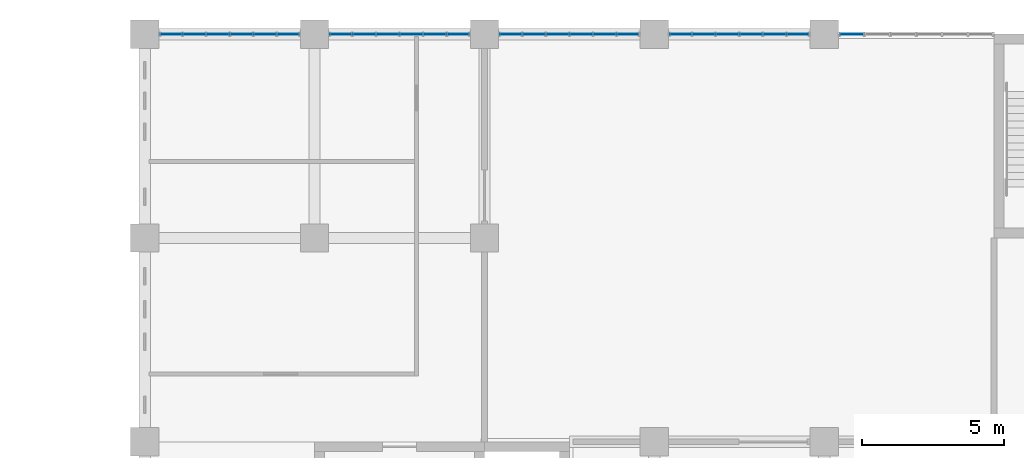
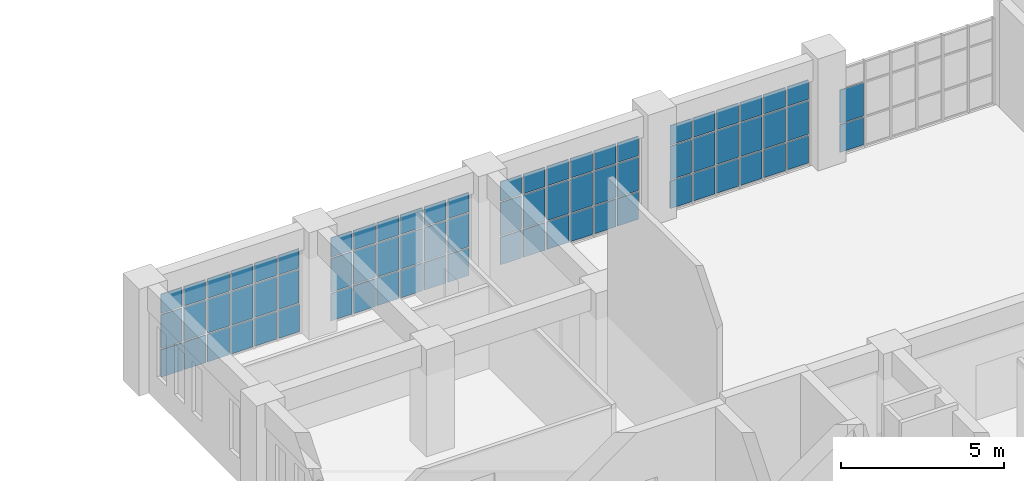
# One storey, part 57 of 92: 74 plates, 5 elements without a shape of their own.
"""IFC4 building model written with IfcOpenShell, lengths in metres."""

from ifc_helpers import new_model, si_unit, direction, frame, origin, origin_2d, place, context, subcontext, project, spatial, rectangle, extrude, material, layer, layer_set, type_object, element, aggregate, save


model = new_model("IFC4")

# Units and contexts
model_context = context("Model", 3, precision=1e-05, world=origin(), true_north=direction((0.0, 1.0)))
body_context = subcontext(model_context, "Body", "Model", "MODEL_VIEW")
ifc_project = project(units=[si_unit("LENGTHUNIT", "METRE"), si_unit("AREAUNIT", "SQUARE_METRE"), si_unit("VOLUMEUNIT", "CUBIC_METRE"), si_unit("PLANEANGLEUNIT", "RADIAN"), si_unit("MASSUNIT", "GRAM", prefix="KILO")], contexts=[model_context])

# Site, building, storey
site_placement = place(None, origin())
site = spatial("IfcSite", under=ifc_project, at=site_placement, CompositionType="ELEMENT")
building_placement = place(site_placement, origin())
building = spatial("IfcBuilding", under=site, at=building_placement, Name="Laocheng Heights Fire and Rescue Headquarters", CompositionType="ELEMENT")
storey_placement = place(building_placement, frame((0.0, 0.0, 12.60009765625)))
storey = spatial("IfcBuildingStorey", under=building, at=storey_placement, Name="L03", CompositionType="ELEMENT", Elevation=12.60009765625)

# Curtain wall, plates
ifc_material_1 = material(Name="Dark anodised aluminium unitised curtain wall, low-e double glazing", Category="aluminium")
curtain_wall_type_1 = type_object("IfcCurtainWallType", Name="CW 5000 x 3200 HQ CONTROL ROOM FACE", PredefinedType="NOTDEFINED", material=ifc_material_1)
curtain_wall_1_placement = place(storey_placement, origin())
curtain_wall_1 = element("IfcCurtainWall", 1, at=curtain_wall_1_placement, inside=storey, type_object=curtain_wall_type_1, Name="X21-X HQ NORTH L03", PredefinedType="NOTDEFINED")
ifc_material_2 = material(Name="Laminated safety glass, low-e double glazed unit", Category="glass")
ifc_layer_1 = layer(ifc_material_2, 0.0400390625)
ifc_layer_set_1 = layer_set([ifc_layer_1], Name="Laminated safety glass, low-e double glazed unit")
plate_type_1 = type_object("IfcPlateType", Name="CW LAMINATED SAFETY PANEL 40 X", PredefinedType="CURTAIN_PANEL", material=ifc_layer_set_1)
plate_1_placement = place(storey_placement, frame((36.931640625, 72.0, 0.050048828125), z_axis=(0.0, 0.0, 1.0), x_axis=(1.0, 0.0, 0.0)))
plate_1 = element("IfcPlate", 2, at=plate_1_placement, type_object=plate_type_1, Name="X21-X panel 1.1", PredefinedType="CURTAIN_PANEL", context=body_context, shape_type="SweptSolid", body=[
    extrude(rectangle(XDim=0.743408203125, YDim=0.0400390625, at=origin_2d()), origin(), (0.0, 0.0, 1.0), 1.02490234375),
])
plate_2_placement = place(storey_placement, frame((37.75, 72.0, 0.050048828125), z_axis=(0.0, 0.0, 1.0), x_axis=(1.0, 0.0, 0.0)))
plate_2 = element("IfcPlate", 3, at=plate_2_placement, type_object=plate_type_1, Name="X21-X panel 2.1", PredefinedType="CURTAIN_PANEL", context=body_context, shape_type="SweptSolid", body=[
    extrude(rectangle(XDim=0.7734375, YDim=0.0400390625, at=origin_2d()), origin(), (0.0, 0.0, 1.0), 1.02490234375),
])
plate_3_placement = place(storey_placement, frame((38.583251953125, 72.0, 0.050048828125), z_axis=(0.0, 0.0, 1.0), x_axis=(1.0, 0.0, 0.0)))
plate_3 = element("IfcPlate", 4, at=plate_3_placement, type_object=plate_type_1, Name="X21-X panel 3.1", PredefinedType="CURTAIN_PANEL", context=body_context, shape_type="SweptSolid", body=[
    extrude(rectangle(XDim=0.7734375, YDim=0.0400390625, at=origin_2d()), origin(), (0.0, 0.0, 1.0), 1.02490234375),
])
plate_4_placement = place(storey_placement, frame((39.416748046875, 72.0, 0.050048828125), z_axis=(0.0, 0.0, 1.0), x_axis=(1.0, 0.0, 0.0)))
plate_4 = element("IfcPlate", 5, at=plate_4_placement, type_object=plate_type_1, Name="X21-X panel 4.1", PredefinedType="CURTAIN_PANEL", context=body_context, shape_type="SweptSolid", body=[
    extrude(rectangle(XDim=0.7734375, YDim=0.0400390625, at=origin_2d()), origin(), (0.0, 0.0, 1.0), 1.02490234375),
])
plate_5_placement = place(storey_placement, frame((40.25, 72.0, 0.050048828125), z_axis=(0.0, 0.0, 1.0), x_axis=(1.0, 0.0, 0.0)))
plate_5 = element("IfcPlate", 6, at=plate_5_placement, type_object=plate_type_1, Name="X21-X panel 5.1", PredefinedType="CURTAIN_PANEL", context=body_context, shape_type="SweptSolid", body=[
    extrude(rectangle(XDim=0.7734375, YDim=0.0400390625, at=origin_2d()), origin(), (0.0, 0.0, 1.0), 1.02490234375),
])
plate_6_placement = place(storey_placement, frame((41.068359375, 72.0, 0.050048828125), z_axis=(0.0, 0.0, 1.0), x_axis=(1.0, 0.0, 0.0)))
plate_6 = element("IfcPlate", 7, at=plate_6_placement, type_object=plate_type_1, Name="X21-X panel 6.1", PredefinedType="CURTAIN_PANEL", context=body_context, shape_type="SweptSolid", body=[
    extrude(rectangle(XDim=0.743408203125, YDim=0.0400390625, at=origin_2d()), origin(), (0.0, 0.0, 1.0), 1.02490234375),
])

curtain_wall_2_placement = place(storey_placement, origin())
curtain_wall_2 = element("IfcCurtainWall", 8, at=curtain_wall_2_placement, inside=storey, type_object=curtain_wall_type_1, Name="X21-X HQ NORTH L03", PredefinedType="NOTDEFINED")
plate_7_placement = place(storey_placement, frame((42.931640625, 72.0, 0.050048828125), z_axis=(0.0, 0.0, 1.0), x_axis=(1.0, 0.0, 0.0)))
plate_7 = element("IfcPlate", 9, at=plate_7_placement, type_object=plate_type_1, Name="X21-X panel 1.1", PredefinedType="CURTAIN_PANEL", context=body_context, shape_type="SweptSolid", body=[
    extrude(rectangle(XDim=0.743408203125, YDim=0.0400390625, at=origin_2d()), origin(), (0.0, 0.0, 1.0), 1.02490234375),
])
plate_8_placement = place(storey_placement, frame((43.75, 72.0, 0.050048828125), z_axis=(0.0, 0.0, 1.0), x_axis=(1.0, 0.0, 0.0)))
plate_8 = element("IfcPlate", 10, at=plate_8_placement, type_object=plate_type_1, Name="X21-X panel 2.1", PredefinedType="CURTAIN_PANEL", context=body_context, shape_type="SweptSolid", body=[
    extrude(rectangle(XDim=0.7734375, YDim=0.0400390625, at=origin_2d()), origin(), (0.0, 0.0, 1.0), 1.02490234375),
])
plate_9_placement = place(storey_placement, frame((44.583251953125, 72.0, 0.050048828125), z_axis=(0.0, 0.0, 1.0), x_axis=(1.0, 0.0, 0.0)))
plate_9 = element("IfcPlate", 11, at=plate_9_placement, type_object=plate_type_1, Name="X21-X panel 3.1", PredefinedType="CURTAIN_PANEL", context=body_context, shape_type="SweptSolid", body=[
    extrude(rectangle(XDim=0.7734375, YDim=0.0400390625, at=origin_2d()), origin(), (0.0, 0.0, 1.0), 1.02490234375),
])
plate_10_placement = place(storey_placement, frame((45.416748046875, 72.0, 0.050048828125), z_axis=(0.0, 0.0, 1.0), x_axis=(1.0, 0.0, 0.0)))
plate_10 = element("IfcPlate", 12, at=plate_10_placement, type_object=plate_type_1, Name="X21-X panel 4.1", PredefinedType="CURTAIN_PANEL", context=body_context, shape_type="SweptSolid", body=[
    extrude(rectangle(XDim=0.7734375, YDim=0.0400390625, at=origin_2d()), origin(), (0.0, 0.0, 1.0), 1.02490234375),
])
plate_11_placement = place(storey_placement, frame((46.25, 72.0, 0.050048828125), z_axis=(0.0, 0.0, 1.0), x_axis=(1.0, 0.0, 0.0)))
plate_11 = element("IfcPlate", 13, at=plate_11_placement, type_object=plate_type_1, Name="X21-X panel 5.1", PredefinedType="CURTAIN_PANEL", context=body_context, shape_type="SweptSolid", body=[
    extrude(rectangle(XDim=0.7734375, YDim=0.0400390625, at=origin_2d()), origin(), (0.0, 0.0, 1.0), 1.02490234375),
])
plate_12_placement = place(storey_placement, frame((47.068359375, 72.0, 0.050048828125), z_axis=(0.0, 0.0, 1.0), x_axis=(1.0, 0.0, 0.0)))
plate_12 = element("IfcPlate", 14, at=plate_12_placement, type_object=plate_type_1, Name="X21-X panel 6.1", PredefinedType="CURTAIN_PANEL", context=body_context, shape_type="SweptSolid", body=[
    extrude(rectangle(XDim=0.743408203125, YDim=0.0400390625, at=origin_2d()), origin(), (0.0, 0.0, 1.0), 1.02490234375),
])

curtain_wall_3_placement = place(storey_placement, origin())
curtain_wall_3 = element("IfcCurtainWall", 15, at=curtain_wall_3_placement, inside=storey, type_object=curtain_wall_type_1, Name="X21-X HQ NORTH L03", PredefinedType="NOTDEFINED")
plate_13_placement = place(storey_placement, frame((48.931640625, 72.0, 0.050048828125), z_axis=(0.0, 0.0, 1.0), x_axis=(1.0, 0.0, 0.0)))
plate_13 = element("IfcPlate", 16, at=plate_13_placement, type_object=plate_type_1, Name="X21-X panel 1.1", PredefinedType="CURTAIN_PANEL", context=body_context, shape_type="SweptSolid", body=[
    extrude(rectangle(XDim=0.743408203125, YDim=0.0400390625, at=origin_2d()), origin(), (0.0, 0.0, 1.0), 1.02490234375),
])
plate_14_placement = place(storey_placement, frame((49.75, 72.0, 0.050048828125), z_axis=(0.0, 0.0, 1.0), x_axis=(1.0, 0.0, 0.0)))
plate_14 = element("IfcPlate", 17, at=plate_14_placement, type_object=plate_type_1, Name="X21-X panel 2.1", PredefinedType="CURTAIN_PANEL", context=body_context, shape_type="SweptSolid", body=[
    extrude(rectangle(XDim=0.7734375, YDim=0.0400390625, at=origin_2d()), origin(), (0.0, 0.0, 1.0), 1.02490234375),
])
plate_15_placement = place(storey_placement, frame((50.583251953125, 72.0, 0.050048828125), z_axis=(0.0, 0.0, 1.0), x_axis=(1.0, 0.0, 0.0)))
plate_15 = element("IfcPlate", 18, at=plate_15_placement, type_object=plate_type_1, Name="X21-X panel 3.1", PredefinedType="CURTAIN_PANEL", context=body_context, shape_type="SweptSolid", body=[
    extrude(rectangle(XDim=0.7734375, YDim=0.0400390625, at=origin_2d()), origin(), (0.0, 0.0, 1.0), 1.02490234375),
])
plate_16_placement = place(storey_placement, frame((51.416748046875, 72.0, 0.050048828125), z_axis=(0.0, 0.0, 1.0), x_axis=(1.0, 0.0, 0.0)))
plate_16 = element("IfcPlate", 19, at=plate_16_placement, type_object=plate_type_1, Name="X21-X panel 4.1", PredefinedType="CURTAIN_PANEL", context=body_context, shape_type="SweptSolid", body=[
    extrude(rectangle(XDim=0.7734375, YDim=0.0400390625, at=origin_2d()), origin(), (0.0, 0.0, 1.0), 1.02490234375),
])
plate_17_placement = place(storey_placement, frame((52.25, 72.0, 0.050048828125), z_axis=(0.0, 0.0, 1.0), x_axis=(1.0, 0.0, 0.0)))
plate_17 = element("IfcPlate", 20, at=plate_17_placement, type_object=plate_type_1, Name="X21-X panel 5.1", PredefinedType="CURTAIN_PANEL", context=body_context, shape_type="SweptSolid", body=[
    extrude(rectangle(XDim=0.7734375, YDim=0.0400390625, at=origin_2d()), origin(), (0.0, 0.0, 1.0), 1.02490234375),
])
plate_18_placement = place(storey_placement, frame((53.068359375, 72.0, 0.050048828125), z_axis=(0.0, 0.0, 1.0), x_axis=(1.0, 0.0, 0.0)))
plate_18 = element("IfcPlate", 21, at=plate_18_placement, type_object=plate_type_1, Name="X21-X panel 6.1", PredefinedType="CURTAIN_PANEL", context=body_context, shape_type="SweptSolid", body=[
    extrude(rectangle(XDim=0.743408203125, YDim=0.0400390625, at=origin_2d()), origin(), (0.0, 0.0, 1.0), 1.02490234375),
])

curtain_wall_4_placement = place(storey_placement, origin())
curtain_wall_4 = element("IfcCurtainWall", 22, at=curtain_wall_4_placement, inside=storey, type_object=curtain_wall_type_1, Name="X21-X HQ NORTH L03", PredefinedType="NOTDEFINED")
plate_19_placement = place(storey_placement, frame((54.931640625, 72.0, 0.050048828125), z_axis=(0.0, 0.0, 1.0), x_axis=(1.0, 0.0, 0.0)))
plate_19 = element("IfcPlate", 23, at=plate_19_placement, type_object=plate_type_1, Name="X21-X panel 1.1", PredefinedType="CURTAIN_PANEL", context=body_context, shape_type="SweptSolid", body=[
    extrude(rectangle(XDim=0.743408203125, YDim=0.0400390625, at=origin_2d()), origin(), (0.0, 0.0, 1.0), 1.02490234375),
])
plate_20_placement = place(storey_placement, frame((55.75, 72.0, 0.050048828125), z_axis=(0.0, 0.0, 1.0), x_axis=(1.0, 0.0, 0.0)))
plate_20 = element("IfcPlate", 24, at=plate_20_placement, type_object=plate_type_1, Name="X21-X panel 2.1", PredefinedType="CURTAIN_PANEL", context=body_context, shape_type="SweptSolid", body=[
    extrude(rectangle(XDim=0.7734375, YDim=0.0400390625, at=origin_2d()), origin(), (0.0, 0.0, 1.0), 1.02490234375),
])
plate_21_placement = place(storey_placement, frame((56.583251953125, 72.0, 0.050048828125), z_axis=(0.0, 0.0, 1.0), x_axis=(1.0, 0.0, 0.0)))
plate_21 = element("IfcPlate", 25, at=plate_21_placement, type_object=plate_type_1, Name="X21-X panel 3.1", PredefinedType="CURTAIN_PANEL", context=body_context, shape_type="SweptSolid", body=[
    extrude(rectangle(XDim=0.7734375, YDim=0.0400390625, at=origin_2d()), origin(), (0.0, 0.0, 1.0), 1.02490234375),
])
plate_22_placement = place(storey_placement, frame((57.416748046875, 72.0, 0.050048828125), z_axis=(0.0, 0.0, 1.0), x_axis=(1.0, 0.0, 0.0)))
plate_22 = element("IfcPlate", 26, at=plate_22_placement, type_object=plate_type_1, Name="X21-X panel 4.1", PredefinedType="CURTAIN_PANEL", context=body_context, shape_type="SweptSolid", body=[
    extrude(rectangle(XDim=0.7734375, YDim=0.0400390625, at=origin_2d()), origin(), (0.0, 0.0, 1.0), 1.02490234375),
])
plate_23_placement = place(storey_placement, frame((58.25, 72.0, 0.050048828125), z_axis=(0.0, 0.0, 1.0), x_axis=(1.0, 0.0, 0.0)))
plate_23 = element("IfcPlate", 27, at=plate_23_placement, type_object=plate_type_1, Name="X21-X panel 5.1", PredefinedType="CURTAIN_PANEL", context=body_context, shape_type="SweptSolid", body=[
    extrude(rectangle(XDim=0.7734375, YDim=0.0400390625, at=origin_2d()), origin(), (0.0, 0.0, 1.0), 1.02490234375),
])
plate_24_placement = place(storey_placement, frame((59.068359375, 72.0, 0.050048828125), z_axis=(0.0, 0.0, 1.0), x_axis=(1.0, 0.0, 0.0)))
plate_24 = element("IfcPlate", 28, at=plate_24_placement, type_object=plate_type_1, Name="X21-X panel 6.1", PredefinedType="CURTAIN_PANEL", context=body_context, shape_type="SweptSolid", body=[
    extrude(rectangle(XDim=0.743408203125, YDim=0.0400390625, at=origin_2d()), origin(), (0.0, 0.0, 1.0), 1.02490234375),
])

# Curtain wall, plate
ifc_material_3 = material(Name="Dark anodised aluminium unitised curtain wall, low-e double glazing", Category="aluminium")
curtain_wall_type_2 = type_object("IfcCurtainWallType", Name="CW 5500 x 3200 HQ CONTROL ROOM FACE", PredefinedType="NOTDEFINED", material=ifc_material_3)
curtain_wall_5_placement = place(storey_placement, origin())
curtain_wall_5 = element("IfcCurtainWall", 29, at=curtain_wall_5_placement, inside=storey, type_object=curtain_wall_type_2, Name="X22-X HQ NORTH L03", PredefinedType="NOTDEFINED")
plate_25_placement = place(storey_placement, frame((60.973388671875, 72.0, 0.050048828125), z_axis=(0.0, 0.0, 1.0), x_axis=(1.0, 0.0, 0.0)))
plate_25 = element("IfcPlate", 30, at=plate_25_placement, type_object=plate_type_1, Name="X22-X panel 1.1", PredefinedType="CURTAIN_PANEL", context=body_context, shape_type="SweptSolid", body=[
    extrude(rectangle(XDim=0.82666015625, YDim=0.0400390625, at=origin_2d()), origin(), (0.0, 0.0, 1.0), 1.02490234375),
])

# Plate
ifc_material_4 = material(Name="Low-e double glazed unit, laminated inner pane")
ifc_layer_2 = layer(ifc_material_4, 0.028076171875)
ifc_layer_set_2 = layer_set([ifc_layer_2], Name="Low-e double glazed unit, laminated inner pane")
plate_type_2 = type_object("IfcPlateType", Name="CW VISION PANEL 28 X", PredefinedType="CURTAIN_PANEL", material=ifc_layer_set_2)
plate_26_placement = place(storey_placement, frame((36.931640625, 72.0, 1.125), z_axis=(0.0, 0.0, 1.0), x_axis=(1.0, 0.0, 0.0)))
plate_26 = element("IfcPlate", 31, at=plate_26_placement, type_object=plate_type_2, Name="X21-X panel 1.2", PredefinedType="CURTAIN_PANEL", context=body_context, shape_type="SweptSolid", body=[
    extrude(rectangle(XDim=0.743408203125, YDim=0.028076171875, at=origin_2d()), origin(), (0.0, 0.0, 1.0), 1.25),
])

plate_27_placement = place(storey_placement, frame((36.931640625, 72.0, 2.4248046875), z_axis=(0.0, 0.0, 1.0), x_axis=(1.0, 0.0, 0.0)))
plate_27 = element("IfcPlate", 32, at=plate_27_placement, type_object=plate_type_2, Name="X21-X panel 1.3", PredefinedType="CURTAIN_PANEL", context=body_context, shape_type="SweptSolid", body=[
    extrude(rectangle(XDim=0.743408203125, YDim=0.028076171875, at=origin_2d()), origin(), (0.0, 0.0, 1.0), 0.72509765625),
])

plate_28_placement = place(storey_placement, frame((37.75, 72.0, 1.125), z_axis=(0.0, 0.0, 1.0), x_axis=(1.0, 0.0, 0.0)))
plate_28 = element("IfcPlate", 33, at=plate_28_placement, type_object=plate_type_2, Name="X21-X panel 2.2", PredefinedType="CURTAIN_PANEL", context=body_context, shape_type="SweptSolid", body=[
    extrude(rectangle(XDim=0.7734375, YDim=0.028076171875, at=origin_2d()), origin(), (0.0, 0.0, 1.0), 1.25),
])

plate_29_placement = place(storey_placement, frame((37.75, 72.0, 2.4248046875), z_axis=(0.0, 0.0, 1.0), x_axis=(1.0, 0.0, 0.0)))
plate_29 = element("IfcPlate", 34, at=plate_29_placement, type_object=plate_type_2, Name="X21-X panel 2.3", PredefinedType="CURTAIN_PANEL", context=body_context, shape_type="SweptSolid", body=[
    extrude(rectangle(XDim=0.7734375, YDim=0.028076171875, at=origin_2d()), origin(), (0.0, 0.0, 1.0), 0.72509765625),
])

plate_30_placement = place(storey_placement, frame((38.583251953125, 72.0, 1.125), z_axis=(0.0, 0.0, 1.0), x_axis=(1.0, 0.0, 0.0)))
plate_30 = element("IfcPlate", 35, at=plate_30_placement, type_object=plate_type_2, Name="X21-X panel 3.2", PredefinedType="CURTAIN_PANEL", context=body_context, shape_type="SweptSolid", body=[
    extrude(rectangle(XDim=0.7734375, YDim=0.028076171875, at=origin_2d()), origin(), (0.0, 0.0, 1.0), 1.25),
])

plate_31_placement = place(storey_placement, frame((38.583251953125, 72.0, 2.4248046875), z_axis=(0.0, 0.0, 1.0), x_axis=(1.0, 0.0, 0.0)))
plate_31 = element("IfcPlate", 36, at=plate_31_placement, type_object=plate_type_2, Name="X21-X panel 3.3", PredefinedType="CURTAIN_PANEL", context=body_context, shape_type="SweptSolid", body=[
    extrude(rectangle(XDim=0.7734375, YDim=0.028076171875, at=origin_2d()), origin(), (0.0, 0.0, 1.0), 0.72509765625),
])

plate_32_placement = place(storey_placement, frame((39.416748046875, 72.0, 1.125), z_axis=(0.0, 0.0, 1.0), x_axis=(1.0, 0.0, 0.0)))
plate_32 = element("IfcPlate", 37, at=plate_32_placement, type_object=plate_type_2, Name="X21-X panel 4.2", PredefinedType="CURTAIN_PANEL", context=body_context, shape_type="SweptSolid", body=[
    extrude(rectangle(XDim=0.7734375, YDim=0.028076171875, at=origin_2d()), origin(), (0.0, 0.0, 1.0), 1.25),
])

plate_33_placement = place(storey_placement, frame((39.416748046875, 72.0, 2.4248046875), z_axis=(0.0, 0.0, 1.0), x_axis=(1.0, 0.0, 0.0)))
plate_33 = element("IfcPlate", 38, at=plate_33_placement, type_object=plate_type_2, Name="X21-X panel 4.3", PredefinedType="CURTAIN_PANEL", context=body_context, shape_type="SweptSolid", body=[
    extrude(rectangle(XDim=0.7734375, YDim=0.028076171875, at=origin_2d()), origin(), (0.0, 0.0, 1.0), 0.72509765625),
])

plate_34_placement = place(storey_placement, frame((40.25, 72.0, 1.125), z_axis=(0.0, 0.0, 1.0), x_axis=(1.0, 0.0, 0.0)))
plate_34 = element("IfcPlate", 39, at=plate_34_placement, type_object=plate_type_2, Name="X21-X panel 5.2", PredefinedType="CURTAIN_PANEL", context=body_context, shape_type="SweptSolid", body=[
    extrude(rectangle(XDim=0.7734375, YDim=0.028076171875, at=origin_2d()), origin(), (0.0, 0.0, 1.0), 1.25),
])

plate_35_placement = place(storey_placement, frame((40.25, 72.0, 2.4248046875), z_axis=(0.0, 0.0, 1.0), x_axis=(1.0, 0.0, 0.0)))
plate_35 = element("IfcPlate", 40, at=plate_35_placement, type_object=plate_type_2, Name="X21-X panel 5.3", PredefinedType="CURTAIN_PANEL", context=body_context, shape_type="SweptSolid", body=[
    extrude(rectangle(XDim=0.7734375, YDim=0.028076171875, at=origin_2d()), origin(), (0.0, 0.0, 1.0), 0.72509765625),
])

plate_36_placement = place(storey_placement, frame((41.068359375, 72.0, 1.125), z_axis=(0.0, 0.0, 1.0), x_axis=(1.0, 0.0, 0.0)))
plate_36 = element("IfcPlate", 41, at=plate_36_placement, type_object=plate_type_2, Name="X21-X panel 6.2", PredefinedType="CURTAIN_PANEL", context=body_context, shape_type="SweptSolid", body=[
    extrude(rectangle(XDim=0.743408203125, YDim=0.028076171875, at=origin_2d()), origin(), (0.0, 0.0, 1.0), 1.25),
])

plate_37_placement = place(storey_placement, frame((41.068359375, 72.0, 2.4248046875), z_axis=(0.0, 0.0, 1.0), x_axis=(1.0, 0.0, 0.0)))
plate_37 = element("IfcPlate", 42, at=plate_37_placement, type_object=plate_type_2, Name="X21-X panel 6.3", PredefinedType="CURTAIN_PANEL", context=body_context, shape_type="SweptSolid", body=[
    extrude(rectangle(XDim=0.743408203125, YDim=0.028076171875, at=origin_2d()), origin(), (0.0, 0.0, 1.0), 0.72509765625),
])

aggregate(curtain_wall_1, [plate_1, plate_26, plate_27, plate_2, plate_28, plate_29, plate_3, plate_30, plate_31, plate_4, plate_32, plate_33, plate_5, plate_34, plate_35, plate_6, plate_36, plate_37])

plate_38_placement = place(storey_placement, frame((42.931640625, 72.0, 1.125), z_axis=(0.0, 0.0, 1.0), x_axis=(1.0, 0.0, 0.0)))
plate_38 = element("IfcPlate", 43, at=plate_38_placement, type_object=plate_type_2, Name="X21-X panel 1.2", PredefinedType="CURTAIN_PANEL", context=body_context, shape_type="SweptSolid", body=[
    extrude(rectangle(XDim=0.743408203125, YDim=0.028076171875, at=origin_2d()), origin(), (0.0, 0.0, 1.0), 1.25),
])

plate_39_placement = place(storey_placement, frame((42.931640625, 72.0, 2.4248046875), z_axis=(0.0, 0.0, 1.0), x_axis=(1.0, 0.0, 0.0)))
plate_39 = element("IfcPlate", 44, at=plate_39_placement, type_object=plate_type_2, Name="X21-X panel 1.3", PredefinedType="CURTAIN_PANEL", context=body_context, shape_type="SweptSolid", body=[
    extrude(rectangle(XDim=0.743408203125, YDim=0.028076171875, at=origin_2d()), origin(), (0.0, 0.0, 1.0), 0.72509765625),
])

plate_40_placement = place(storey_placement, frame((43.75, 72.0, 1.125), z_axis=(0.0, 0.0, 1.0), x_axis=(1.0, 0.0, 0.0)))
plate_40 = element("IfcPlate", 45, at=plate_40_placement, type_object=plate_type_2, Name="X21-X panel 2.2", PredefinedType="CURTAIN_PANEL", context=body_context, shape_type="SweptSolid", body=[
    extrude(rectangle(XDim=0.7734375, YDim=0.028076171875, at=origin_2d()), origin(), (0.0, 0.0, 1.0), 1.25),
])

plate_41_placement = place(storey_placement, frame((43.75, 72.0, 2.4248046875), z_axis=(0.0, 0.0, 1.0), x_axis=(1.0, 0.0, 0.0)))
plate_41 = element("IfcPlate", 46, at=plate_41_placement, type_object=plate_type_2, Name="X21-X panel 2.3", PredefinedType="CURTAIN_PANEL", context=body_context, shape_type="SweptSolid", body=[
    extrude(rectangle(XDim=0.7734375, YDim=0.028076171875, at=origin_2d()), origin(), (0.0, 0.0, 1.0), 0.72509765625),
])

plate_42_placement = place(storey_placement, frame((44.583251953125, 72.0, 1.125), z_axis=(0.0, 0.0, 1.0), x_axis=(1.0, 0.0, 0.0)))
plate_42 = element("IfcPlate", 47, at=plate_42_placement, type_object=plate_type_2, Name="X21-X panel 3.2", PredefinedType="CURTAIN_PANEL", context=body_context, shape_type="SweptSolid", body=[
    extrude(rectangle(XDim=0.7734375, YDim=0.028076171875, at=origin_2d()), origin(), (0.0, 0.0, 1.0), 1.25),
])

plate_43_placement = place(storey_placement, frame((44.583251953125, 72.0, 2.4248046875), z_axis=(0.0, 0.0, 1.0), x_axis=(1.0, 0.0, 0.0)))
plate_43 = element("IfcPlate", 48, at=plate_43_placement, type_object=plate_type_2, Name="X21-X panel 3.3", PredefinedType="CURTAIN_PANEL", context=body_context, shape_type="SweptSolid", body=[
    extrude(rectangle(XDim=0.7734375, YDim=0.028076171875, at=origin_2d()), origin(), (0.0, 0.0, 1.0), 0.72509765625),
])

plate_44_placement = place(storey_placement, frame((45.416748046875, 72.0, 1.125), z_axis=(0.0, 0.0, 1.0), x_axis=(1.0, 0.0, 0.0)))
plate_44 = element("IfcPlate", 49, at=plate_44_placement, type_object=plate_type_2, Name="X21-X panel 4.2", PredefinedType="CURTAIN_PANEL", context=body_context, shape_type="SweptSolid", body=[
    extrude(rectangle(XDim=0.7734375, YDim=0.028076171875, at=origin_2d()), origin(), (0.0, 0.0, 1.0), 1.25),
])

plate_45_placement = place(storey_placement, frame((45.416748046875, 72.0, 2.4248046875), z_axis=(0.0, 0.0, 1.0), x_axis=(1.0, 0.0, 0.0)))
plate_45 = element("IfcPlate", 50, at=plate_45_placement, type_object=plate_type_2, Name="X21-X panel 4.3", PredefinedType="CURTAIN_PANEL", context=body_context, shape_type="SweptSolid", body=[
    extrude(rectangle(XDim=0.7734375, YDim=0.028076171875, at=origin_2d()), origin(), (0.0, 0.0, 1.0), 0.72509765625),
])

plate_46_placement = place(storey_placement, frame((46.25, 72.0, 1.125), z_axis=(0.0, 0.0, 1.0), x_axis=(1.0, 0.0, 0.0)))
plate_46 = element("IfcPlate", 51, at=plate_46_placement, type_object=plate_type_2, Name="X21-X panel 5.2", PredefinedType="CURTAIN_PANEL", context=body_context, shape_type="SweptSolid", body=[
    extrude(rectangle(XDim=0.7734375, YDim=0.028076171875, at=origin_2d()), origin(), (0.0, 0.0, 1.0), 1.25),
])

plate_47_placement = place(storey_placement, frame((46.25, 72.0, 2.4248046875), z_axis=(0.0, 0.0, 1.0), x_axis=(1.0, 0.0, 0.0)))
plate_47 = element("IfcPlate", 52, at=plate_47_placement, type_object=plate_type_2, Name="X21-X panel 5.3", PredefinedType="CURTAIN_PANEL", context=body_context, shape_type="SweptSolid", body=[
    extrude(rectangle(XDim=0.7734375, YDim=0.028076171875, at=origin_2d()), origin(), (0.0, 0.0, 1.0), 0.72509765625),
])

plate_48_placement = place(storey_placement, frame((47.068359375, 72.0, 1.125), z_axis=(0.0, 0.0, 1.0), x_axis=(1.0, 0.0, 0.0)))
plate_48 = element("IfcPlate", 53, at=plate_48_placement, type_object=plate_type_2, Name="X21-X panel 6.2", PredefinedType="CURTAIN_PANEL", context=body_context, shape_type="SweptSolid", body=[
    extrude(rectangle(XDim=0.743408203125, YDim=0.028076171875, at=origin_2d()), origin(), (0.0, 0.0, 1.0), 1.25),
])

plate_49_placement = place(storey_placement, frame((47.068359375, 72.0, 2.4248046875), z_axis=(0.0, 0.0, 1.0), x_axis=(1.0, 0.0, 0.0)))
plate_49 = element("IfcPlate", 54, at=plate_49_placement, type_object=plate_type_2, Name="X21-X panel 6.3", PredefinedType="CURTAIN_PANEL", context=body_context, shape_type="SweptSolid", body=[
    extrude(rectangle(XDim=0.743408203125, YDim=0.028076171875, at=origin_2d()), origin(), (0.0, 0.0, 1.0), 0.72509765625),
])

aggregate(curtain_wall_2, [plate_7, plate_38, plate_39, plate_8, plate_40, plate_41, plate_9, plate_42, plate_43, plate_10, plate_44, plate_45, plate_11, plate_46, plate_47, plate_12, plate_48, plate_49])

plate_50_placement = place(storey_placement, frame((48.931640625, 72.0, 1.125), z_axis=(0.0, 0.0, 1.0), x_axis=(1.0, 0.0, 0.0)))
plate_50 = element("IfcPlate", 55, at=plate_50_placement, type_object=plate_type_2, Name="X21-X panel 1.2", PredefinedType="CURTAIN_PANEL", context=body_context, shape_type="SweptSolid", body=[
    extrude(rectangle(XDim=0.743408203125, YDim=0.028076171875, at=origin_2d()), origin(), (0.0, 0.0, 1.0), 1.25),
])

plate_51_placement = place(storey_placement, frame((48.931640625, 72.0, 2.4248046875), z_axis=(0.0, 0.0, 1.0), x_axis=(1.0, 0.0, 0.0)))
plate_51 = element("IfcPlate", 56, at=plate_51_placement, type_object=plate_type_2, Name="X21-X panel 1.3", PredefinedType="CURTAIN_PANEL", context=body_context, shape_type="SweptSolid", body=[
    extrude(rectangle(XDim=0.743408203125, YDim=0.028076171875, at=origin_2d()), origin(), (0.0, 0.0, 1.0), 0.72509765625),
])

plate_52_placement = place(storey_placement, frame((49.75, 72.0, 1.125), z_axis=(0.0, 0.0, 1.0), x_axis=(1.0, 0.0, 0.0)))
plate_52 = element("IfcPlate", 57, at=plate_52_placement, type_object=plate_type_2, Name="X21-X panel 2.2", PredefinedType="CURTAIN_PANEL", context=body_context, shape_type="SweptSolid", body=[
    extrude(rectangle(XDim=0.7734375, YDim=0.028076171875, at=origin_2d()), origin(), (0.0, 0.0, 1.0), 1.25),
])

plate_53_placement = place(storey_placement, frame((49.75, 72.0, 2.4248046875), z_axis=(0.0, 0.0, 1.0), x_axis=(1.0, 0.0, 0.0)))
plate_53 = element("IfcPlate", 58, at=plate_53_placement, type_object=plate_type_2, Name="X21-X panel 2.3", PredefinedType="CURTAIN_PANEL", context=body_context, shape_type="SweptSolid", body=[
    extrude(rectangle(XDim=0.7734375, YDim=0.028076171875, at=origin_2d()), origin(), (0.0, 0.0, 1.0), 0.72509765625),
])

plate_54_placement = place(storey_placement, frame((50.583251953125, 72.0, 1.125), z_axis=(0.0, 0.0, 1.0), x_axis=(1.0, 0.0, 0.0)))
plate_54 = element("IfcPlate", 59, at=plate_54_placement, type_object=plate_type_2, Name="X21-X panel 3.2", PredefinedType="CURTAIN_PANEL", context=body_context, shape_type="SweptSolid", body=[
    extrude(rectangle(XDim=0.7734375, YDim=0.028076171875, at=origin_2d()), origin(), (0.0, 0.0, 1.0), 1.25),
])

plate_55_placement = place(storey_placement, frame((50.583251953125, 72.0, 2.4248046875), z_axis=(0.0, 0.0, 1.0), x_axis=(1.0, 0.0, 0.0)))
plate_55 = element("IfcPlate", 60, at=plate_55_placement, type_object=plate_type_2, Name="X21-X panel 3.3", PredefinedType="CURTAIN_PANEL", context=body_context, shape_type="SweptSolid", body=[
    extrude(rectangle(XDim=0.7734375, YDim=0.028076171875, at=origin_2d()), origin(), (0.0, 0.0, 1.0), 0.72509765625),
])

plate_56_placement = place(storey_placement, frame((51.416748046875, 72.0, 1.125), z_axis=(0.0, 0.0, 1.0), x_axis=(1.0, 0.0, 0.0)))
plate_56 = element("IfcPlate", 61, at=plate_56_placement, type_object=plate_type_2, Name="X21-X panel 4.2", PredefinedType="CURTAIN_PANEL", context=body_context, shape_type="SweptSolid", body=[
    extrude(rectangle(XDim=0.7734375, YDim=0.028076171875, at=origin_2d()), origin(), (0.0, 0.0, 1.0), 1.25),
])

plate_57_placement = place(storey_placement, frame((51.416748046875, 72.0, 2.4248046875), z_axis=(0.0, 0.0, 1.0), x_axis=(1.0, 0.0, 0.0)))
plate_57 = element("IfcPlate", 62, at=plate_57_placement, type_object=plate_type_2, Name="X21-X panel 4.3", PredefinedType="CURTAIN_PANEL", context=body_context, shape_type="SweptSolid", body=[
    extrude(rectangle(XDim=0.7734375, YDim=0.028076171875, at=origin_2d()), origin(), (0.0, 0.0, 1.0), 0.72509765625),
])

plate_58_placement = place(storey_placement, frame((52.25, 72.0, 1.125), z_axis=(0.0, 0.0, 1.0), x_axis=(1.0, 0.0, 0.0)))
plate_58 = element("IfcPlate", 63, at=plate_58_placement, type_object=plate_type_2, Name="X21-X panel 5.2", PredefinedType="CURTAIN_PANEL", context=body_context, shape_type="SweptSolid", body=[
    extrude(rectangle(XDim=0.7734375, YDim=0.028076171875, at=origin_2d()), origin(), (0.0, 0.0, 1.0), 1.25),
])

plate_59_placement = place(storey_placement, frame((52.25, 72.0, 2.4248046875), z_axis=(0.0, 0.0, 1.0), x_axis=(1.0, 0.0, 0.0)))
plate_59 = element("IfcPlate", 64, at=plate_59_placement, type_object=plate_type_2, Name="X21-X panel 5.3", PredefinedType="CURTAIN_PANEL", context=body_context, shape_type="SweptSolid", body=[
    extrude(rectangle(XDim=0.7734375, YDim=0.028076171875, at=origin_2d()), origin(), (0.0, 0.0, 1.0), 0.72509765625),
])

plate_60_placement = place(storey_placement, frame((53.068359375, 72.0, 1.125), z_axis=(0.0, 0.0, 1.0), x_axis=(1.0, 0.0, 0.0)))
plate_60 = element("IfcPlate", 65, at=plate_60_placement, type_object=plate_type_2, Name="X21-X panel 6.2", PredefinedType="CURTAIN_PANEL", context=body_context, shape_type="SweptSolid", body=[
    extrude(rectangle(XDim=0.743408203125, YDim=0.028076171875, at=origin_2d()), origin(), (0.0, 0.0, 1.0), 1.25),
])

plate_61_placement = place(storey_placement, frame((53.068359375, 72.0, 2.4248046875), z_axis=(0.0, 0.0, 1.0), x_axis=(1.0, 0.0, 0.0)))
plate_61 = element("IfcPlate", 66, at=plate_61_placement, type_object=plate_type_2, Name="X21-X panel 6.3", PredefinedType="CURTAIN_PANEL", context=body_context, shape_type="SweptSolid", body=[
    extrude(rectangle(XDim=0.743408203125, YDim=0.028076171875, at=origin_2d()), origin(), (0.0, 0.0, 1.0), 0.72509765625),
])

aggregate(curtain_wall_3, [plate_13, plate_50, plate_51, plate_14, plate_52, plate_53, plate_15, plate_54, plate_55, plate_16, plate_56, plate_57, plate_17, plate_58, plate_59, plate_18, plate_60, plate_61])

plate_62_placement = place(storey_placement, frame((54.931640625, 72.0, 1.125), z_axis=(0.0, 0.0, 1.0), x_axis=(1.0, 0.0, 0.0)))
plate_62 = element("IfcPlate", 67, at=plate_62_placement, type_object=plate_type_2, Name="X21-X panel 1.2", PredefinedType="CURTAIN_PANEL", context=body_context, shape_type="SweptSolid", body=[
    extrude(rectangle(XDim=0.743408203125, YDim=0.028076171875, at=origin_2d()), origin(), (0.0, 0.0, 1.0), 1.25),
])

plate_63_placement = place(storey_placement, frame((54.931640625, 72.0, 2.4248046875), z_axis=(0.0, 0.0, 1.0), x_axis=(1.0, 0.0, 0.0)))
plate_63 = element("IfcPlate", 68, at=plate_63_placement, type_object=plate_type_2, Name="X21-X panel 1.3", PredefinedType="CURTAIN_PANEL", context=body_context, shape_type="SweptSolid", body=[
    extrude(rectangle(XDim=0.743408203125, YDim=0.028076171875, at=origin_2d()), origin(), (0.0, 0.0, 1.0), 0.72509765625),
])

plate_64_placement = place(storey_placement, frame((55.75, 72.0, 1.125), z_axis=(0.0, 0.0, 1.0), x_axis=(1.0, 0.0, 0.0)))
plate_64 = element("IfcPlate", 69, at=plate_64_placement, type_object=plate_type_2, Name="X21-X panel 2.2", PredefinedType="CURTAIN_PANEL", context=body_context, shape_type="SweptSolid", body=[
    extrude(rectangle(XDim=0.7734375, YDim=0.028076171875, at=origin_2d()), origin(), (0.0, 0.0, 1.0), 1.25),
])

plate_65_placement = place(storey_placement, frame((55.75, 72.0, 2.4248046875), z_axis=(0.0, 0.0, 1.0), x_axis=(1.0, 0.0, 0.0)))
plate_65 = element("IfcPlate", 70, at=plate_65_placement, type_object=plate_type_2, Name="X21-X panel 2.3", PredefinedType="CURTAIN_PANEL", context=body_context, shape_type="SweptSolid", body=[
    extrude(rectangle(XDim=0.7734375, YDim=0.028076171875, at=origin_2d()), origin(), (0.0, 0.0, 1.0), 0.72509765625),
])

plate_66_placement = place(storey_placement, frame((56.583251953125, 72.0, 1.125), z_axis=(0.0, 0.0, 1.0), x_axis=(1.0, 0.0, 0.0)))
plate_66 = element("IfcPlate", 71, at=plate_66_placement, type_object=plate_type_2, Name="X21-X panel 3.2", PredefinedType="CURTAIN_PANEL", context=body_context, shape_type="SweptSolid", body=[
    extrude(rectangle(XDim=0.7734375, YDim=0.028076171875, at=origin_2d()), origin(), (0.0, 0.0, 1.0), 1.25),
])

plate_67_placement = place(storey_placement, frame((56.583251953125, 72.0, 2.4248046875), z_axis=(0.0, 0.0, 1.0), x_axis=(1.0, 0.0, 0.0)))
plate_67 = element("IfcPlate", 72, at=plate_67_placement, type_object=plate_type_2, Name="X21-X panel 3.3", PredefinedType="CURTAIN_PANEL", context=body_context, shape_type="SweptSolid", body=[
    extrude(rectangle(XDim=0.7734375, YDim=0.028076171875, at=origin_2d()), origin(), (0.0, 0.0, 1.0), 0.72509765625),
])

plate_68_placement = place(storey_placement, frame((57.416748046875, 72.0, 1.125), z_axis=(0.0, 0.0, 1.0), x_axis=(1.0, 0.0, 0.0)))
plate_68 = element("IfcPlate", 73, at=plate_68_placement, type_object=plate_type_2, Name="X21-X panel 4.2", PredefinedType="CURTAIN_PANEL", context=body_context, shape_type="SweptSolid", body=[
    extrude(rectangle(XDim=0.7734375, YDim=0.028076171875, at=origin_2d()), origin(), (0.0, 0.0, 1.0), 1.25),
])

plate_69_placement = place(storey_placement, frame((57.416748046875, 72.0, 2.4248046875), z_axis=(0.0, 0.0, 1.0), x_axis=(1.0, 0.0, 0.0)))
plate_69 = element("IfcPlate", 74, at=plate_69_placement, type_object=plate_type_2, Name="X21-X panel 4.3", PredefinedType="CURTAIN_PANEL", context=body_context, shape_type="SweptSolid", body=[
    extrude(rectangle(XDim=0.7734375, YDim=0.028076171875, at=origin_2d()), origin(), (0.0, 0.0, 1.0), 0.72509765625),
])

plate_70_placement = place(storey_placement, frame((58.25, 72.0, 1.125), z_axis=(0.0, 0.0, 1.0), x_axis=(1.0, 0.0, 0.0)))
plate_70 = element("IfcPlate", 75, at=plate_70_placement, type_object=plate_type_2, Name="X21-X panel 5.2", PredefinedType="CURTAIN_PANEL", context=body_context, shape_type="SweptSolid", body=[
    extrude(rectangle(XDim=0.7734375, YDim=0.028076171875, at=origin_2d()), origin(), (0.0, 0.0, 1.0), 1.25),
])

plate_71_placement = place(storey_placement, frame((58.25, 72.0, 2.4248046875), z_axis=(0.0, 0.0, 1.0), x_axis=(1.0, 0.0, 0.0)))
plate_71 = element("IfcPlate", 76, at=plate_71_placement, type_object=plate_type_2, Name="X21-X panel 5.3", PredefinedType="CURTAIN_PANEL", context=body_context, shape_type="SweptSolid", body=[
    extrude(rectangle(XDim=0.7734375, YDim=0.028076171875, at=origin_2d()), origin(), (0.0, 0.0, 1.0), 0.72509765625),
])

plate_72_placement = place(storey_placement, frame((59.068359375, 72.0, 1.125), z_axis=(0.0, 0.0, 1.0), x_axis=(1.0, 0.0, 0.0)))
plate_72 = element("IfcPlate", 77, at=plate_72_placement, type_object=plate_type_2, Name="X21-X panel 6.2", PredefinedType="CURTAIN_PANEL", context=body_context, shape_type="SweptSolid", body=[
    extrude(rectangle(XDim=0.743408203125, YDim=0.028076171875, at=origin_2d()), origin(), (0.0, 0.0, 1.0), 1.25),
])

plate_73_placement = place(storey_placement, frame((59.068359375, 72.0, 2.4248046875), z_axis=(0.0, 0.0, 1.0), x_axis=(1.0, 0.0, 0.0)))
plate_73 = element("IfcPlate", 78, at=plate_73_placement, type_object=plate_type_2, Name="X21-X panel 6.3", PredefinedType="CURTAIN_PANEL", context=body_context, shape_type="SweptSolid", body=[
    extrude(rectangle(XDim=0.743408203125, YDim=0.028076171875, at=origin_2d()), origin(), (0.0, 0.0, 1.0), 0.72509765625),
])

aggregate(curtain_wall_4, [plate_19, plate_62, plate_63, plate_20, plate_64, plate_65, plate_21, plate_66, plate_67, plate_22, plate_68, plate_69, plate_23, plate_70, plate_71, plate_24, plate_72, plate_73])

plate_74_placement = place(storey_placement, frame((60.973388671875, 72.0, 1.125), z_axis=(0.0, 0.0, 1.0), x_axis=(1.0, 0.0, 0.0)))
plate_74 = element("IfcPlate", 79, at=plate_74_placement, type_object=plate_type_2, Name="X22-X panel 1.2", PredefinedType="CURTAIN_PANEL", context=body_context, shape_type="SweptSolid", body=[
    extrude(rectangle(XDim=0.82666015625, YDim=0.028076171875, at=origin_2d()), origin(), (0.0, 0.0, 1.0), 1.25),
])

aggregate(curtain_wall_5, [plate_25, plate_74])

save(model, "model.ifc")
